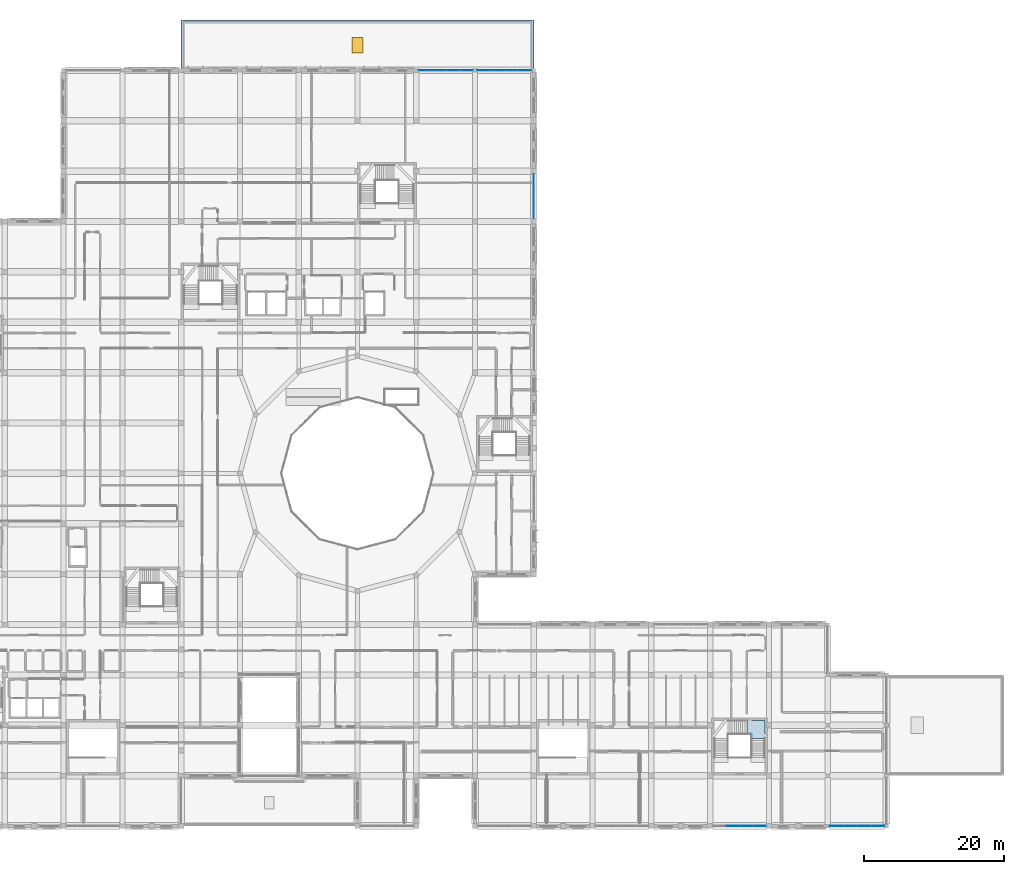
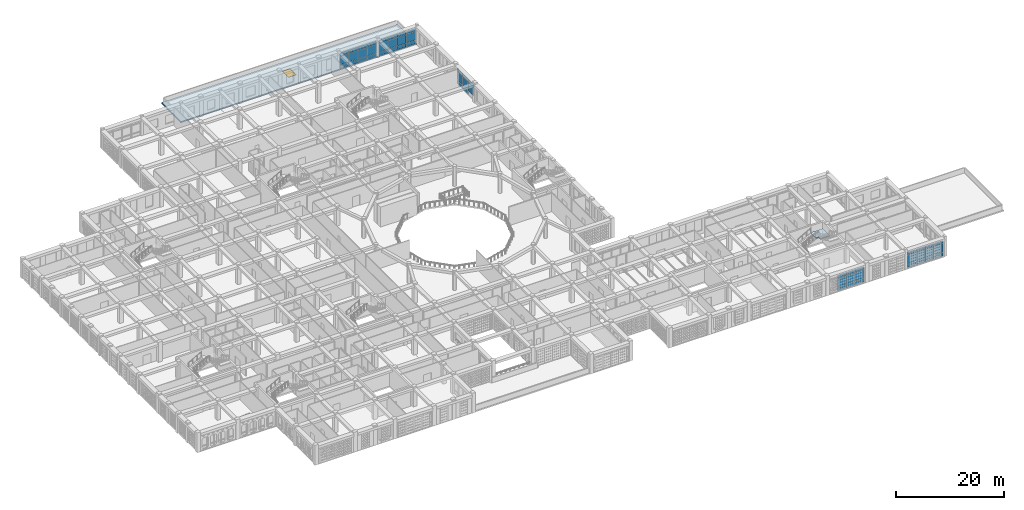
# One storey, part 53 of 111: 53 plates, 2 slabs, 1 window, 1 opening, 6 elements without a shape of their own.
"""IFC4 building model written with IfcOpenShell, lengths in metres."""

from ifc_helpers import new_model, si_unit, derived_unit, direction, frame, origin, origin_2d, place, context, subcontext, project, spatial, polyline, rectangle, outline, extrude, material, layer, layer_set, type_object, element, fill, aggregate, save


model = new_model("IFC4")

# Units and contexts
model_context = context("Model", 3, precision=1e-05, world=origin(), true_north=direction((0.0, 1.0)))
body_context = subcontext(model_context, "Body", "Model", "MODEL_VIEW")
ifc_project = project(units=[si_unit("LENGTHUNIT", "METRE"), si_unit("AREAUNIT", "SQUARE_METRE"), si_unit("VOLUMEUNIT", "CUBIC_METRE"), si_unit("PLANEANGLEUNIT", "RADIAN"), si_unit("MASSUNIT", "GRAM", prefix="KILO"), derived_unit("THERMALTRANSMITTANCEUNIT", [(si_unit("POWERUNIT", "WATT"), 1), (si_unit("LENGTHUNIT", "METRE"), -2), (si_unit("THERMODYNAMICTEMPERATUREUNIT", "KELVIN"), -1)])], contexts=[model_context])

# Site, building, storey
site_placement = place(None, origin())
site = spatial("IfcSite", under=ifc_project, at=site_placement, CompositionType="ELEMENT")
building_placement = place(site_placement, origin())
building = spatial("IfcBuilding", under=site, at=building_placement, Name="Veybourne Emporium", CompositionType="ELEMENT")
storey_placement = place(building_placement, frame((0.0, 0.0, 9.89990234375)))
storey = spatial("IfcBuildingStorey", under=building, at=storey_placement, Name="L02", CompositionType="ELEMENT", Elevation=9.89990234375)

# Curtain wall, plates
ifc_material_1 = material(Name="Patinated Architectural Bronze", Category="bronze")
curtain_wall_type_1 = type_object("IfcCurtainWallType", Name="CWSystem_CWS-18", PredefinedType="NOTDEFINED", material=ifc_material_1)
curtain_wall_1_placement = place(storey_placement, origin())
curtain_wall_1 = element("IfcCurtainWall", 1, at=curtain_wall_1_placement, inside=storey, type_object=curtain_wall_type_1, Name="L02 bronze glazed curtain wall CWS-18 (045)", PredefinedType="NOTDEFINED")
ifc_material_2 = material(Name="Low-E Triple Glazing", Category="glass")
ifc_layer_1 = layer(ifc_material_2, 0.028076171875)
ifc_layer_set_1 = layer_set([ifc_layer_1], Name="Low-E Triple Glazing")
plate_type = type_object("IfcPlateType", Name="CWPanel_CW-P1", PredefinedType="CURTAIN_PANEL", material=ifc_layer_set_1)
plate_1_placement = place(storey_placement, frame((85.278076171875, 108.0, 0.074951171875), z_axis=(0.0, 0.0, 1.0), x_axis=(1.0, 0.0, 0.0)))
plate_1 = element("IfcPlate", 2, at=plate_1_placement, type_object=plate_type, Name="CWS-18 panel 1.1", PredefinedType="CURTAIN_PANEL", context=body_context, shape_type="SweptSolid", body=[
    extrude(rectangle(XDim=1.856201171875, YDim=0.028076171875, at=origin_2d()), origin(), (0.0, 0.0, 1.0), 0.78759765625),
])
plate_2_placement = place(storey_placement, frame((85.278076171875, 108.0, 0.9375), z_axis=(0.0, 0.0, 1.0), x_axis=(1.0, 0.0, 0.0)))
plate_2 = element("IfcPlate", 3, at=plate_2_placement, type_object=plate_type, Name="CWS-18 panel 1.2", PredefinedType="CURTAIN_PANEL", context=body_context, shape_type="SweptSolid", body=[
    extrude(rectangle(XDim=1.856201171875, YDim=0.028076171875, at=origin_2d()), origin(), (0.0, 0.0, 1.0), 1.905029296875),
])
plate_3_placement = place(storey_placement, frame((85.278076171875, 108.0, 2.91748046875), z_axis=(0.0, 0.0, 1.0), x_axis=(1.0, 0.0, 0.0)))
plate_3 = element("IfcPlate", 4, at=plate_3_placement, type_object=plate_type, Name="CWS-18 panel 1.3", PredefinedType="CURTAIN_PANEL", context=body_context, shape_type="SweptSolid", body=[
    extrude(rectangle(XDim=1.856201171875, YDim=0.028076171875, at=origin_2d()), origin(), (0.0, 0.0, 1.0), 0.637451171875),
])
plate_4_placement = place(storey_placement, frame((87.22802734375, 108.0, 0.074951171875), z_axis=(0.0, 0.0, 1.0), x_axis=(1.0, 0.0, 0.0)))
plate_4 = element("IfcPlate", 5, at=plate_4_placement, type_object=plate_type, Name="CWS-18 panel 2.1", PredefinedType="CURTAIN_PANEL", context=body_context, shape_type="SweptSolid", body=[
    extrude(rectangle(XDim=1.893798828125, YDim=0.028076171875, at=origin_2d()), origin(), (0.0, 0.0, 1.0), 0.78759765625),
])
plate_5_placement = place(storey_placement, frame((87.22802734375, 108.0, 0.9375), z_axis=(0.0, 0.0, 1.0), x_axis=(1.0, 0.0, 0.0)))
plate_5 = element("IfcPlate", 6, at=plate_5_placement, type_object=plate_type, Name="CWS-18 panel 2.2", PredefinedType="CURTAIN_PANEL", context=body_context, shape_type="SweptSolid", body=[
    extrude(rectangle(XDim=1.893798828125, YDim=0.028076171875, at=origin_2d()), origin(), (0.0, 0.0, 1.0), 1.905029296875),
])
plate_6_placement = place(storey_placement, frame((87.22802734375, 108.0, 2.91748046875), z_axis=(0.0, 0.0, 1.0), x_axis=(1.0, 0.0, 0.0)))
plate_6 = element("IfcPlate", 7, at=plate_6_placement, type_object=plate_type, Name="CWS-18 panel 2.3", PredefinedType="CURTAIN_PANEL", context=body_context, shape_type="SweptSolid", body=[
    extrude(rectangle(XDim=1.893798828125, YDim=0.028076171875, at=origin_2d()), origin(), (0.0, 0.0, 1.0), 0.637451171875),
])
plate_7_placement = place(storey_placement, frame((89.19677734375, 108.0, 0.074951171875), z_axis=(0.0, 0.0, 1.0), x_axis=(1.0, 0.0, 0.0)))
plate_7 = element("IfcPlate", 8, at=plate_7_placement, type_object=plate_type, Name="CWS-18 panel 3.1", PredefinedType="CURTAIN_PANEL", context=body_context, shape_type="SweptSolid", body=[
    extrude(rectangle(XDim=1.893798828125, YDim=0.028076171875, at=origin_2d()), origin(), (0.0, 0.0, 1.0), 0.78759765625),
])
plate_8_placement = place(storey_placement, frame((89.19677734375, 108.0, 0.9375), z_axis=(0.0, 0.0, 1.0), x_axis=(1.0, 0.0, 0.0)))
plate_8 = element("IfcPlate", 9, at=plate_8_placement, type_object=plate_type, Name="CWS-18 panel 3.2", PredefinedType="CURTAIN_PANEL", context=body_context, shape_type="SweptSolid", body=[
    extrude(rectangle(XDim=1.893798828125, YDim=0.028076171875, at=origin_2d()), origin(), (0.0, 0.0, 1.0), 1.905029296875),
])
plate_9_placement = place(storey_placement, frame((89.19677734375, 108.0, 2.91748046875), z_axis=(0.0, 0.0, 1.0), x_axis=(1.0, 0.0, 0.0)))
plate_9 = element("IfcPlate", 10, at=plate_9_placement, type_object=plate_type, Name="CWS-18 panel 3.3", PredefinedType="CURTAIN_PANEL", context=body_context, shape_type="SweptSolid", body=[
    extrude(rectangle(XDim=1.893798828125, YDim=0.028076171875, at=origin_2d()), origin(), (0.0, 0.0, 1.0), 0.637451171875),
])
plate_10_placement = place(storey_placement, frame((91.14697265625, 108.0, 0.074951171875), z_axis=(0.0, 0.0, 1.0), x_axis=(1.0, 0.0, 0.0)))
plate_10 = element("IfcPlate", 11, at=plate_10_placement, type_object=plate_type, Name="CWS-18 panel 4.1", PredefinedType="CURTAIN_PANEL", context=body_context, shape_type="SweptSolid", body=[
    extrude(rectangle(XDim=1.856201171875, YDim=0.028076171875, at=origin_2d()), origin(), (0.0, 0.0, 1.0), 0.78759765625),
])
plate_11_placement = place(storey_placement, frame((91.14697265625, 108.0, 0.9375), z_axis=(0.0, 0.0, 1.0), x_axis=(1.0, 0.0, 0.0)))
plate_11 = element("IfcPlate", 12, at=plate_11_placement, type_object=plate_type, Name="CWS-18 panel 4.2", PredefinedType="CURTAIN_PANEL", context=body_context, shape_type="SweptSolid", body=[
    extrude(rectangle(XDim=1.856201171875, YDim=0.028076171875, at=origin_2d()), origin(), (0.0, 0.0, 1.0), 1.905029296875),
])
plate_12_placement = place(storey_placement, frame((91.14697265625, 108.0, 2.91748046875), z_axis=(0.0, 0.0, 1.0), x_axis=(1.0, 0.0, 0.0)))
plate_12 = element("IfcPlate", 13, at=plate_12_placement, type_object=plate_type, Name="CWS-18 panel 4.3", PredefinedType="CURTAIN_PANEL", context=body_context, shape_type="SweptSolid", body=[
    extrude(rectangle(XDim=1.856201171875, YDim=0.028076171875, at=origin_2d()), origin(), (0.0, 0.0, 1.0), 0.637451171875),
])
aggregate(curtain_wall_1, [plate_1, plate_2, plate_3, plate_4, plate_5, plate_6, plate_7, plate_8, plate_9, plate_10, plate_11, plate_12])

curtain_wall_type_2 = type_object("IfcCurtainWallType", Name="CWSystem_CWS-23", PredefinedType="NOTDEFINED", material=ifc_material_1)
curtain_wall_2_placement = place(storey_placement, origin())
curtain_wall_2 = element("IfcCurtainWall", 14, at=curtain_wall_2_placement, inside=storey, type_object=curtain_wall_type_2, Name="L02 bronze glazed curtain wall CWS-23 (057)", PredefinedType="NOTDEFINED")
plate_13_placement = place(storey_placement, frame((100.800048828125, 92.130615234375, 0.078125), z_axis=(0.0, 0.0, 1.0), x_axis=(0.0, -1.0, 0.0)))
plate_13 = element("IfcPlate", 15, at=plate_13_placement, type_object=plate_type, Name="CWS-23 panel 1.1", PredefinedType="CURTAIN_PANEL", context=body_context, shape_type="SweptSolid", body=[
    extrude(rectangle(XDim=2.032958984375, YDim=0.028076171875, at=origin_2d()), origin(), (0.0, 0.0, 1.0), 0.782958984375),
])
plate_14_placement = place(storey_placement, frame((100.800048828125, 92.130615234375, 0.93896484375), z_axis=(0.0, 0.0, 1.0), x_axis=(0.0, -1.0, 0.0)))
plate_14 = element("IfcPlate", 16, at=plate_14_placement, type_object=plate_type, Name="CWS-23 panel 1.2", PredefinedType="CURTAIN_PANEL", context=body_context, shape_type="SweptSolid", body=[
    extrude(rectangle(XDim=2.032958984375, YDim=0.028076171875, at=origin_2d()), origin(), (0.0, 0.0, 1.0), 1.902099609375),
])
plate_15_placement = place(storey_placement, frame((100.800048828125, 92.130615234375, 2.9189453125), z_axis=(0.0, 0.0, 1.0), x_axis=(0.0, -1.0, 0.0)))
plate_15 = element("IfcPlate", 17, at=plate_15_placement, type_object=plate_type, Name="CWS-23 panel 1.3", PredefinedType="CURTAIN_PANEL", context=body_context, shape_type="SweptSolid", body=[
    extrude(rectangle(XDim=2.032958984375, YDim=0.028076171875, at=origin_2d()), origin(), (0.0, 0.0, 1.0), 0.633056640625),
])
plate_16_placement = place(storey_placement, frame((100.800048828125, 90.0, 0.078125), z_axis=(0.0, 0.0, 1.0), x_axis=(0.0, -1.0, 0.0)))
plate_16 = element("IfcPlate", 18, at=plate_16_placement, type_object=plate_type, Name="CWS-23 panel 2.1", PredefinedType="CURTAIN_PANEL", context=body_context, shape_type="SweptSolid", body=[
    extrude(rectangle(XDim=2.072021484375, YDim=0.028076171875, at=origin_2d()), origin(), (0.0, 0.0, 1.0), 0.782958984375),
])
plate_17_placement = place(storey_placement, frame((100.800048828125, 90.0, 0.93896484375), z_axis=(0.0, 0.0, 1.0), x_axis=(0.0, -1.0, 0.0)))
plate_17 = element("IfcPlate", 19, at=plate_17_placement, type_object=plate_type, Name="CWS-23 panel 2.2", PredefinedType="CURTAIN_PANEL", context=body_context, shape_type="SweptSolid", body=[
    extrude(rectangle(XDim=2.072021484375, YDim=0.028076171875, at=origin_2d()), origin(), (0.0, 0.0, 1.0), 1.902099609375),
])
plate_18_placement = place(storey_placement, frame((100.800048828125, 90.0, 2.9189453125), z_axis=(0.0, 0.0, 1.0), x_axis=(0.0, -1.0, 0.0)))
plate_18 = element("IfcPlate", 20, at=plate_18_placement, type_object=plate_type, Name="CWS-23 panel 2.3", PredefinedType="CURTAIN_PANEL", context=body_context, shape_type="SweptSolid", body=[
    extrude(rectangle(XDim=2.072021484375, YDim=0.028076171875, at=origin_2d()), origin(), (0.0, 0.0, 1.0), 0.633056640625),
])
plate_19_placement = place(storey_placement, frame((100.800048828125, 87.869384765625, 0.93896484375), z_axis=(0.0, 0.0, 1.0), x_axis=(0.0, -1.0, 0.0)))
plate_19 = element("IfcPlate", 21, at=plate_19_placement, type_object=plate_type, Name="CWS-23 panel 3.2", PredefinedType="CURTAIN_PANEL", context=body_context, shape_type="SweptSolid", body=[
    extrude(rectangle(XDim=2.032958984375, YDim=0.028076171875, at=origin_2d()), origin(), (0.0, 0.0, 1.0), 1.902099609375),
])
plate_20_placement = place(storey_placement, frame((100.800048828125, 87.869384765625, 2.9189453125), z_axis=(0.0, 0.0, 1.0), x_axis=(0.0, -1.0, 0.0)))
plate_20 = element("IfcPlate", 22, at=plate_20_placement, type_object=plate_type, Name="CWS-23 panel 3.3", PredefinedType="CURTAIN_PANEL", context=body_context, shape_type="SweptSolid", body=[
    extrude(rectangle(XDim=2.032958984375, YDim=0.028076171875, at=origin_2d()), origin(), (0.0, 0.0, 1.0), 0.633056640625),
])
aggregate(curtain_wall_2, [plate_13, plate_14, plate_15, plate_16, plate_17, plate_18, plate_19, plate_20])

curtain_wall_type_3 = type_object("IfcCurtainWallType", Name="CWSystem_CWS-24", PredefinedType="NOTDEFINED", material=ifc_material_1)
curtain_wall_3_placement = place(storey_placement, origin())
curtain_wall_3 = element("IfcCurtainWall", 23, at=curtain_wall_3_placement, inside=storey, type_object=curtain_wall_type_3, Name="L02 bronze glazed curtain wall CWS-24 (060)", PredefinedType="NOTDEFINED")
plate_21_placement = place(storey_placement, frame((93.65185546875, 108.0, 0.070068359375), z_axis=(0.0, 0.0, 1.0), x_axis=(1.0, 0.0, 0.0)))
plate_21 = element("IfcPlate", 24, at=plate_21_placement, type_object=plate_type, Name="CWS-24 panel 1.1", PredefinedType="CURTAIN_PANEL", context=body_context, shape_type="SweptSolid", body=[
    extrude(rectangle(XDim=1.86376953125, YDim=0.028076171875, at=origin_2d()), origin(), (0.0, 0.0, 1.0), 0.794921875),
])
plate_22_placement = place(storey_placement, frame((93.65185546875, 108.0, 0.93505859375), z_axis=(0.0, 0.0, 1.0), x_axis=(1.0, 0.0, 0.0)))
plate_22 = element("IfcPlate", 25, at=plate_22_placement, type_object=plate_type, Name="CWS-24 panel 1.2", PredefinedType="CURTAIN_PANEL", context=body_context, shape_type="SweptSolid", body=[
    extrude(rectangle(XDim=1.86376953125, YDim=0.028076171875, at=origin_2d()), origin(), (0.0, 0.0, 1.0), 1.909912109375),
])
plate_23_placement = place(storey_placement, frame((93.65185546875, 108.0, 2.9150390625), z_axis=(0.0, 0.0, 1.0), x_axis=(1.0, 0.0, 0.0)))
plate_23 = element("IfcPlate", 26, at=plate_23_placement, type_object=plate_type, Name="CWS-24 panel 1.3", PredefinedType="CURTAIN_PANEL", context=body_context, shape_type="SweptSolid", body=[
    extrude(rectangle(XDim=1.86376953125, YDim=0.028076171875, at=origin_2d()), origin(), (0.0, 0.0, 1.0), 0.64501953125),
])
plate_24_placement = place(storey_placement, frame((95.60302734375, 108.0, 0.070068359375), z_axis=(0.0, 0.0, 1.0), x_axis=(1.0, 0.0, 0.0)))
plate_24 = element("IfcPlate", 27, at=plate_24_placement, type_object=plate_type, Name="CWS-24 panel 2.1", PredefinedType="CURTAIN_PANEL", context=body_context, shape_type="SweptSolid", body=[
    extrude(rectangle(XDim=1.898681640625, YDim=0.028076171875, at=origin_2d()), origin(), (0.0, 0.0, 1.0), 0.794921875),
])
plate_25_placement = place(storey_placement, frame((95.60302734375, 108.0, 0.93505859375), z_axis=(0.0, 0.0, 1.0), x_axis=(1.0, 0.0, 0.0)))
plate_25 = element("IfcPlate", 28, at=plate_25_placement, type_object=plate_type, Name="CWS-24 panel 2.2", PredefinedType="CURTAIN_PANEL", context=body_context, shape_type="SweptSolid", body=[
    extrude(rectangle(XDim=1.898681640625, YDim=0.028076171875, at=origin_2d()), origin(), (0.0, 0.0, 1.0), 1.909912109375),
])
plate_26_placement = place(storey_placement, frame((95.60302734375, 108.0, 2.9150390625), z_axis=(0.0, 0.0, 1.0), x_axis=(1.0, 0.0, 0.0)))
plate_26 = element("IfcPlate", 29, at=plate_26_placement, type_object=plate_type, Name="CWS-24 panel 2.3", PredefinedType="CURTAIN_PANEL", context=body_context, shape_type="SweptSolid", body=[
    extrude(rectangle(XDim=1.898681640625, YDim=0.028076171875, at=origin_2d()), origin(), (0.0, 0.0, 1.0), 0.64501953125),
])
plate_27_placement = place(storey_placement, frame((97.57177734375, 108.0, 0.070068359375), z_axis=(0.0, 0.0, 1.0), x_axis=(1.0, 0.0, 0.0)))
plate_27 = element("IfcPlate", 30, at=plate_27_placement, type_object=plate_type, Name="CWS-24 panel 3.1", PredefinedType="CURTAIN_PANEL", context=body_context, shape_type="SweptSolid", body=[
    extrude(rectangle(XDim=1.898681640625, YDim=0.028076171875, at=origin_2d()), origin(), (0.0, 0.0, 1.0), 0.794921875),
])
plate_28_placement = place(storey_placement, frame((97.57177734375, 108.0, 0.93505859375), z_axis=(0.0, 0.0, 1.0), x_axis=(1.0, 0.0, 0.0)))
plate_28 = element("IfcPlate", 31, at=plate_28_placement, type_object=plate_type, Name="CWS-24 panel 3.2", PredefinedType="CURTAIN_PANEL", context=body_context, shape_type="SweptSolid", body=[
    extrude(rectangle(XDim=1.898681640625, YDim=0.028076171875, at=origin_2d()), origin(), (0.0, 0.0, 1.0), 1.909912109375),
])
plate_29_placement = place(storey_placement, frame((97.57177734375, 108.0, 2.9150390625), z_axis=(0.0, 0.0, 1.0), x_axis=(1.0, 0.0, 0.0)))
plate_29 = element("IfcPlate", 32, at=plate_29_placement, type_object=plate_type, Name="CWS-24 panel 3.3", PredefinedType="CURTAIN_PANEL", context=body_context, shape_type="SweptSolid", body=[
    extrude(rectangle(XDim=1.898681640625, YDim=0.028076171875, at=origin_2d()), origin(), (0.0, 0.0, 1.0), 0.64501953125),
])
plate_30_placement = place(storey_placement, frame((99.523193359375, 108.0, 0.070068359375), z_axis=(0.0, 0.0, 1.0), x_axis=(1.0, 0.0, 0.0)))
plate_30 = element("IfcPlate", 33, at=plate_30_placement, type_object=plate_type, Name="CWS-24 panel 4.1", PredefinedType="CURTAIN_PANEL", context=body_context, shape_type="SweptSolid", body=[
    extrude(rectangle(XDim=1.86376953125, YDim=0.028076171875, at=origin_2d()), origin(), (0.0, 0.0, 1.0), 0.794921875),
])
plate_31_placement = place(storey_placement, frame((99.523193359375, 108.0, 0.93505859375), z_axis=(0.0, 0.0, 1.0), x_axis=(1.0, 0.0, 0.0)))
plate_31 = element("IfcPlate", 34, at=plate_31_placement, type_object=plate_type, Name="CWS-24 panel 4.2", PredefinedType="CURTAIN_PANEL", context=body_context, shape_type="SweptSolid", body=[
    extrude(rectangle(XDim=1.86376953125, YDim=0.028076171875, at=origin_2d()), origin(), (0.0, 0.0, 1.0), 1.909912109375),
])
plate_32_placement = place(storey_placement, frame((99.523193359375, 108.0, 2.9150390625), z_axis=(0.0, 0.0, 1.0), x_axis=(1.0, 0.0, 0.0)))
plate_32 = element("IfcPlate", 35, at=plate_32_placement, type_object=plate_type, Name="CWS-24 panel 4.3", PredefinedType="CURTAIN_PANEL", context=body_context, shape_type="SweptSolid", body=[
    extrude(rectangle(XDim=1.86376953125, YDim=0.028076171875, at=origin_2d()), origin(), (0.0, 0.0, 1.0), 0.64501953125),
])
aggregate(curtain_wall_3, [plate_21, plate_22, plate_23, plate_24, plate_25, plate_26, plate_27, plate_28, plate_29, plate_30, plate_31, plate_32])

curtain_wall_type_4 = type_object("IfcCurtainWallType", Name="CWSystem_CWS-27", PredefinedType="NOTDEFINED", material=ifc_material_1)
curtain_wall_4_placement = place(storey_placement, origin())
curtain_wall_4 = element("IfcCurtainWall", 36, at=curtain_wall_4_placement, inside=storey, type_object=curtain_wall_type_4, Name="L02 bronze glazed curtain wall CWS-27 (067)", PredefinedType="NOTDEFINED")
plate_33_placement = place(storey_placement, frame((133.04931640625, 0.0, 0.078125), z_axis=(0.0, 0.0, 1.0), x_axis=(-1.0, 0.0, 0.0)))
plate_33 = element("IfcPlate", 37, at=plate_33_placement, type_object=plate_type, Name="CWS-27 panel 1.1", PredefinedType="CURTAIN_PANEL", context=body_context, shape_type="SweptSolid", body=[
    extrude(rectangle(XDim=1.79541015625, YDim=0.028076171875, at=origin_2d()), origin(), (0.0, 0.0, 1.0), 0.782958984375),
])
plate_34_placement = place(storey_placement, frame((133.04931640625, 0.0, 0.93896484375), z_axis=(0.0, 0.0, 1.0), x_axis=(-1.0, 0.0, 0.0)))
plate_34 = element("IfcPlate", 38, at=plate_34_placement, type_object=plate_type, Name="CWS-27 panel 1.2", PredefinedType="CURTAIN_PANEL", context=body_context, shape_type="SweptSolid", body=[
    extrude(rectangle(XDim=1.79541015625, YDim=0.028076171875, at=origin_2d()), origin(), (0.0, 0.0, 1.0), 1.902099609375),
])
plate_35_placement = place(storey_placement, frame((133.04931640625, 0.0, 2.9189453125), z_axis=(0.0, 0.0, 1.0), x_axis=(-1.0, 0.0, 0.0)))
plate_35 = element("IfcPlate", 39, at=plate_35_placement, type_object=plate_type, Name="CWS-27 panel 1.3", PredefinedType="CURTAIN_PANEL", context=body_context, shape_type="SweptSolid", body=[
    extrude(rectangle(XDim=1.79541015625, YDim=0.028076171875, at=origin_2d()), origin(), (0.0, 0.0, 1.0), 0.633056640625),
])
plate_36_placement = place(storey_placement, frame((131.15625, 0.0, 0.078125), z_axis=(0.0, 0.0, 1.0), x_axis=(-1.0, 0.0, 0.0)))
plate_36 = element("IfcPlate", 40, at=plate_36_placement, type_object=plate_type, Name="CWS-27 panel 2.1", PredefinedType="CURTAIN_PANEL", context=body_context, shape_type="SweptSolid", body=[
    extrude(rectangle(XDim=1.83447265625, YDim=0.028076171875, at=origin_2d()), origin(), (0.0, 0.0, 1.0), 0.782958984375),
])
plate_37_placement = place(storey_placement, frame((131.15625, 0.0, 0.93896484375), z_axis=(0.0, 0.0, 1.0), x_axis=(-1.0, 0.0, 0.0)))
plate_37 = element("IfcPlate", 41, at=plate_37_placement, type_object=plate_type, Name="CWS-27 panel 2.2", PredefinedType="CURTAIN_PANEL", context=body_context, shape_type="SweptSolid", body=[
    extrude(rectangle(XDim=1.83447265625, YDim=0.028076171875, at=origin_2d()), origin(), (0.0, 0.0, 1.0), 1.902099609375),
])
plate_38_placement = place(storey_placement, frame((131.15625, 0.0, 2.9189453125), z_axis=(0.0, 0.0, 1.0), x_axis=(-1.0, 0.0, 0.0)))
plate_38 = element("IfcPlate", 42, at=plate_38_placement, type_object=plate_type, Name="CWS-27 panel 2.3", PredefinedType="CURTAIN_PANEL", context=body_context, shape_type="SweptSolid", body=[
    extrude(rectangle(XDim=1.83447265625, YDim=0.028076171875, at=origin_2d()), origin(), (0.0, 0.0, 1.0), 0.633056640625),
])
plate_39_placement = place(storey_placement, frame((129.24365234375, 0.0, 0.078125), z_axis=(0.0, 0.0, 1.0), x_axis=(-1.0, 0.0, 0.0)))
plate_39 = element("IfcPlate", 43, at=plate_39_placement, type_object=plate_type, Name="CWS-27 panel 3.1", PredefinedType="CURTAIN_PANEL", context=body_context, shape_type="SweptSolid", body=[
    extrude(rectangle(XDim=1.83447265625, YDim=0.028076171875, at=origin_2d()), origin(), (0.0, 0.0, 1.0), 0.782958984375),
])
plate_40_placement = place(storey_placement, frame((129.24365234375, 0.0, 0.93896484375), z_axis=(0.0, 0.0, 1.0), x_axis=(-1.0, 0.0, 0.0)))
plate_40 = element("IfcPlate", 44, at=plate_40_placement, type_object=plate_type, Name="CWS-27 panel 3.2", PredefinedType="CURTAIN_PANEL", context=body_context, shape_type="SweptSolid", body=[
    extrude(rectangle(XDim=1.83447265625, YDim=0.028076171875, at=origin_2d()), origin(), (0.0, 0.0, 1.0), 1.902099609375),
])
plate_41_placement = place(storey_placement, frame((129.24365234375, 0.0, 2.9189453125), z_axis=(0.0, 0.0, 1.0), x_axis=(-1.0, 0.0, 0.0)))
plate_41 = element("IfcPlate", 45, at=plate_41_placement, type_object=plate_type, Name="CWS-27 panel 3.3", PredefinedType="CURTAIN_PANEL", context=body_context, shape_type="SweptSolid", body=[
    extrude(rectangle(XDim=1.83447265625, YDim=0.028076171875, at=origin_2d()), origin(), (0.0, 0.0, 1.0), 0.633056640625),
])
aggregate(curtain_wall_4, [plate_33, plate_34, plate_35, plate_36, plate_37, plate_38, plate_39, plate_40, plate_41])

curtain_wall_type_5 = type_object("IfcCurtainWallType", Name="CWSystem_CWS-01", PredefinedType="NOTDEFINED", material=ifc_material_1)
curtain_wall_5_placement = place(storey_placement, origin())
curtain_wall_5 = element("IfcCurtainWall", 46, at=curtain_wall_5_placement, inside=storey, type_object=curtain_wall_type_5, Name="L02 bronze glazed curtain wall CWS-01 (072)", PredefinedType="NOTDEFINED")
plate_42_placement = place(storey_placement, frame((149.922607421875, 0.0, 0.072021484375), z_axis=(0.0, 0.0, 1.0), x_axis=(-1.0, 0.0, 0.0)))
plate_42 = element("IfcPlate", 47, at=plate_42_placement, type_object=plate_type, Name="CWS-01 panel 1.1", PredefinedType="CURTAIN_PANEL", context=body_context, shape_type="SweptSolid", body=[
    extrude(rectangle(XDim=1.86083984375, YDim=0.028076171875, at=origin_2d()), origin(), (0.0, 0.0, 1.0), 0.7919921875),
])
plate_43_placement = place(storey_placement, frame((149.922607421875, 0.0, 0.93603515625), z_axis=(0.0, 0.0, 1.0), x_axis=(-1.0, 0.0, 0.0)))
plate_43 = element("IfcPlate", 48, at=plate_43_placement, type_object=plate_type, Name="CWS-01 panel 1.2", PredefinedType="CURTAIN_PANEL", context=body_context, shape_type="SweptSolid", body=[
    extrude(rectangle(XDim=1.86083984375, YDim=0.028076171875, at=origin_2d()), origin(), (0.0, 0.0, 1.0), 1.907958984375),
])
plate_44_placement = place(storey_placement, frame((149.922607421875, 0.0, 2.916015625), z_axis=(0.0, 0.0, 1.0), x_axis=(-1.0, 0.0, 0.0)))
plate_44 = element("IfcPlate", 49, at=plate_44_placement, type_object=plate_type, Name="CWS-01 panel 1.3", PredefinedType="CURTAIN_PANEL", context=body_context, shape_type="SweptSolid", body=[
    extrude(rectangle(XDim=1.86083984375, YDim=0.028076171875, at=origin_2d()), origin(), (0.0, 0.0, 1.0), 0.64208984375),
])
plate_45_placement = place(storey_placement, frame((147.971923828125, 0.0, 0.072021484375), z_axis=(0.0, 0.0, 1.0), x_axis=(-1.0, 0.0, 0.0)))
plate_45 = element("IfcPlate", 50, at=plate_45_placement, type_object=plate_type, Name="CWS-01 panel 2.1", PredefinedType="CURTAIN_PANEL", context=body_context, shape_type="SweptSolid", body=[
    extrude(rectangle(XDim=1.896728515625, YDim=0.028076171875, at=origin_2d()), origin(), (0.0, 0.0, 1.0), 0.7919921875),
])
plate_46_placement = place(storey_placement, frame((147.971923828125, 0.0, 0.93603515625), z_axis=(0.0, 0.0, 1.0), x_axis=(-1.0, 0.0, 0.0)))
plate_46 = element("IfcPlate", 51, at=plate_46_placement, type_object=plate_type, Name="CWS-01 panel 2.2", PredefinedType="CURTAIN_PANEL", context=body_context, shape_type="SweptSolid", body=[
    extrude(rectangle(XDim=1.896728515625, YDim=0.028076171875, at=origin_2d()), origin(), (0.0, 0.0, 1.0), 1.907958984375),
])
plate_47_placement = place(storey_placement, frame((147.971923828125, 0.0, 2.916015625), z_axis=(0.0, 0.0, 1.0), x_axis=(-1.0, 0.0, 0.0)))
plate_47 = element("IfcPlate", 52, at=plate_47_placement, type_object=plate_type, Name="CWS-01 panel 2.3", PredefinedType="CURTAIN_PANEL", context=body_context, shape_type="SweptSolid", body=[
    extrude(rectangle(XDim=1.896728515625, YDim=0.028076171875, at=origin_2d()), origin(), (0.0, 0.0, 1.0), 0.64208984375),
])
plate_48_placement = place(storey_placement, frame((146.003173828125, 0.0, 0.072021484375), z_axis=(0.0, 0.0, 1.0), x_axis=(-1.0, 0.0, 0.0)))
plate_48 = element("IfcPlate", 53, at=plate_48_placement, type_object=plate_type, Name="CWS-01 panel 3.1", PredefinedType="CURTAIN_PANEL", context=body_context, shape_type="SweptSolid", body=[
    extrude(rectangle(XDim=1.896728515625, YDim=0.028076171875, at=origin_2d()), origin(), (0.0, 0.0, 1.0), 0.7919921875),
])
plate_49_placement = place(storey_placement, frame((146.003173828125, 0.0, 0.93603515625), z_axis=(0.0, 0.0, 1.0), x_axis=(-1.0, 0.0, 0.0)))
plate_49 = element("IfcPlate", 54, at=plate_49_placement, type_object=plate_type, Name="CWS-01 panel 3.2", PredefinedType="CURTAIN_PANEL", context=body_context, shape_type="SweptSolid", body=[
    extrude(rectangle(XDim=1.896728515625, YDim=0.028076171875, at=origin_2d()), origin(), (0.0, 0.0, 1.0), 1.907958984375),
])
plate_50_placement = place(storey_placement, frame((146.003173828125, 0.0, 2.916015625), z_axis=(0.0, 0.0, 1.0), x_axis=(-1.0, 0.0, 0.0)))
plate_50 = element("IfcPlate", 55, at=plate_50_placement, type_object=plate_type, Name="CWS-01 panel 3.3", PredefinedType="CURTAIN_PANEL", context=body_context, shape_type="SweptSolid", body=[
    extrude(rectangle(XDim=1.896728515625, YDim=0.028076171875, at=origin_2d()), origin(), (0.0, 0.0, 1.0), 0.64208984375),
])
plate_51_placement = place(storey_placement, frame((144.052490234375, 0.0, 0.072021484375), z_axis=(0.0, 0.0, 1.0), x_axis=(-1.0, 0.0, 0.0)))
plate_51 = element("IfcPlate", 56, at=plate_51_placement, type_object=plate_type, Name="CWS-01 panel 4.1", PredefinedType="CURTAIN_PANEL", context=body_context, shape_type="SweptSolid", body=[
    extrude(rectangle(XDim=1.86083984375, YDim=0.028076171875, at=origin_2d()), origin(), (0.0, 0.0, 1.0), 0.7919921875),
])
plate_52_placement = place(storey_placement, frame((144.052490234375, 0.0, 0.93603515625), z_axis=(0.0, 0.0, 1.0), x_axis=(-1.0, 0.0, 0.0)))
plate_52 = element("IfcPlate", 57, at=plate_52_placement, type_object=plate_type, Name="CWS-01 panel 4.2", PredefinedType="CURTAIN_PANEL", context=body_context, shape_type="SweptSolid", body=[
    extrude(rectangle(XDim=1.86083984375, YDim=0.028076171875, at=origin_2d()), origin(), (0.0, 0.0, 1.0), 1.907958984375),
])
plate_53_placement = place(storey_placement, frame((144.052490234375, 0.0, 2.916015625), z_axis=(0.0, 0.0, 1.0), x_axis=(-1.0, 0.0, 0.0)))
plate_53 = element("IfcPlate", 58, at=plate_53_placement, type_object=plate_type, Name="CWS-01 panel 4.3", PredefinedType="CURTAIN_PANEL", context=body_context, shape_type="SweptSolid", body=[
    extrude(rectangle(XDim=1.86083984375, YDim=0.028076171875, at=origin_2d()), origin(), (0.0, 0.0, 1.0), 0.64208984375),
])
aggregate(curtain_wall_5, [plate_42, plate_43, plate_44, plate_45, plate_46, plate_47, plate_48, plate_49, plate_50, plate_51, plate_52, plate_53])

# Stair, slab
ifc_material_3 = material(Name="Concrete C32/40", Category="concrete")
stair_type = type_object("IfcStairType", Name="Stair_ST-06-R30", PredefinedType="TWO_QUARTER_TURN_STAIR", material=ifc_material_3)
stair_placement = place(storey_placement, origin())
stair = element("IfcStair", 59, at=stair_placement, inside=storey, type_object=stair_type, Name="L02 stair ST-06", PredefinedType="TWO_QUARTER_TURN_STAIR")
ifc_layer_2 = layer(ifc_material_3, 0.199951171875)
ifc_layer_set_2 = layer_set([ifc_layer_2], Name="Concrete C32/40")
slab_type_1 = type_object("IfcSlabType", Name="Landing_LDG-01", PredefinedType="LANDING", material=ifc_layer_set_2)
slab_1_placement = place(storey_placement, frame((0.0, 0.0, 2.800048828125)))
slab_1 = element("IfcSlab", 60, at=slab_1_placement, type_object=slab_type_1, Name="ST-06-R30 landing 2", PredefinedType="LANDING", context=body_context, shape_type="SweptSolid", body=[
    extrude(outline(polyline([(131.25, 13.10009765625), (131.85009765625, 13.10009765625), (131.85009765625, 12.5), (133.85009765625, 12.5), (133.85009765625, 15.10009765625), (131.25, 15.10009765625), (131.25, 13.10009765625)])), origin(), (0.0, 0.0, 1.0), 0.199951171875),
])
aggregate(stair, [slab_1])

# Slab, opening, window
ifc_layer_3 = layer(ifc_material_3, 0.260009765625)
ifc_layer_set_3 = layer_set([ifc_layer_3], Name="Concrete C32/40")
slab_type_2 = type_object("IfcSlabType", Name="Slab_RS-01", PredefinedType="ROOF", material=ifc_layer_set_3)
slab_2_placement = place(storey_placement, frame((0.0, 0.0, -0.260009765625)))
slab_2 = element("IfcSlab", 61, at=slab_2_placement, inside=storey, type_object=slab_type_2, Name="L02 flat roof slab 2", PredefinedType="ROOF", context=body_context, shape_type="SweptSolid", body=[
    extrude(outline(polyline([(75.60009765625, 115.199951171875), (84.0, 115.199951171875), (92.39990234375, 115.199951171875), (100.800048828125, 115.199951171875), (100.800048828125, 108.0), (92.39990234375, 108.0), (84.0, 108.0), (75.60009765625, 108.0), (67.199951171875, 108.0), (58.800048828125, 108.0), (50.39990234375, 108.0), (50.39990234375, 115.199951171875), (58.800048828125, 115.199951171875), (67.199951171875, 115.199951171875), (75.60009765625, 115.199951171875)])), origin(), (0.0, 0.0, 1.0), 0.260009765625),
])
opening_placement = place(slab_2_placement, frame((75.60009765625, 111.60009765625, -0.02001953125)))
opening = element("IfcOpeningElement", 62, at=opening_placement, cuts=slab_2, Name="Opening RH-03", PredefinedType="OPENING", context=body_context, shape_type="SweptSolid", body=[
    extrude(rectangle(XDim=1.60009765625, YDim=2.199951171875, at=origin_2d()), origin(), (0.0, 0.0, 1.0), 0.300048828125),
])
ifc_material_4 = material(Name="Solar Control Laminated Glass", Category="glass")
window_type = type_object("IfcWindowType", Name="Hatch_RH-03", PartitioningType="SINGLE_PANEL", PredefinedType="SKYLIGHT", material=ifc_material_4)
window_placement = place(slab_2_placement, frame((75.60009765625, 111.60009765625, 0.2099609375)))
window = element("IfcWindow", 63, at=window_placement, inside=storey, type_object=window_type, Name="L02 roof access skylight hatch RH-03", OverallHeight=2.199951171875, OverallWidth=1.60009765625, PartitioningType="SINGLE_PANEL", PredefinedType="SKYLIGHT", context=body_context, shape_type="SweptSolid", body=[
    extrude(rectangle(XDim=1.60009765625, YDim=2.199951171875, at=origin_2d()), origin(), (0.0, 0.0, 1.0), 0.050048828125),
])
fill(opening, window)

save(model, "model.ifc")
